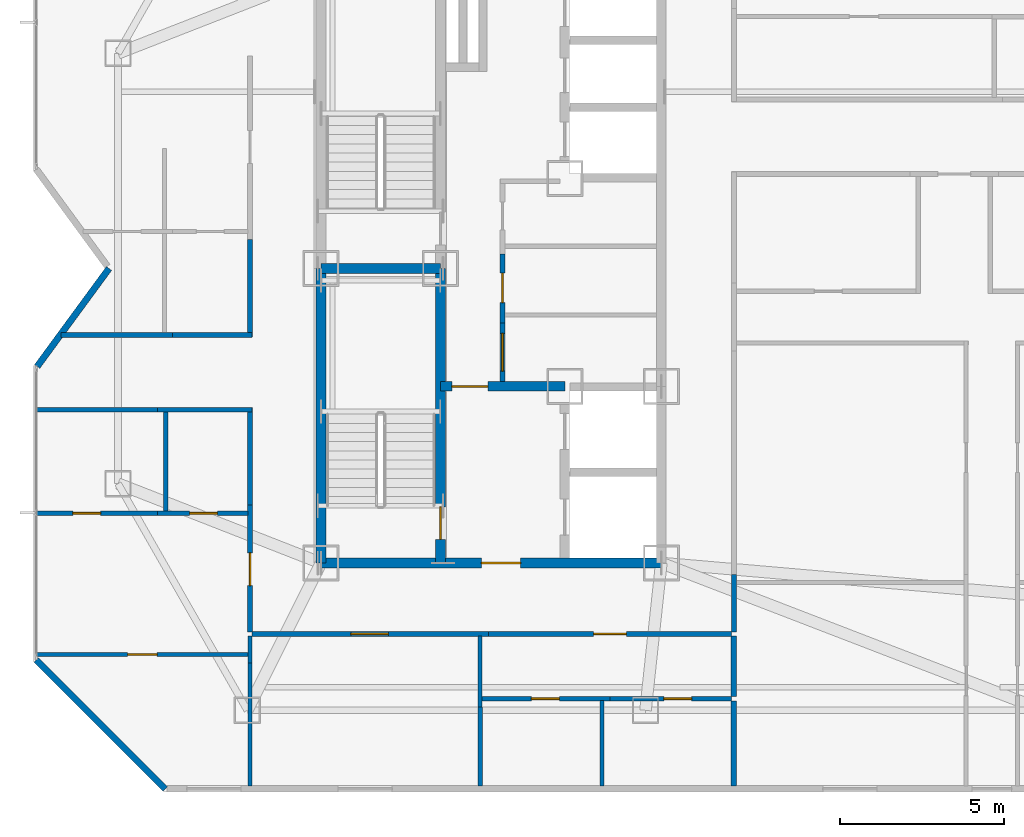
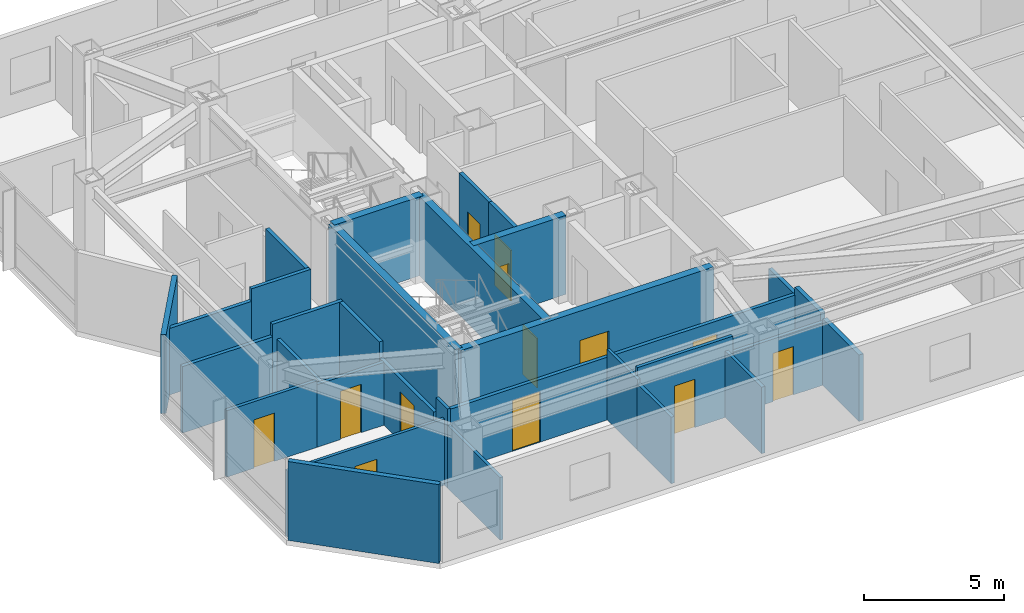
# One storey, part 10 of 15: 32 walls, 13 doors, 13 openings.
"""IFC4 building model written with IfcOpenShell, lengths in metres."""

from ifc_helpers import new_model, si_unit, direction, frame, frame_2d, origin, place, context, subcontext, project, spatial, rectangle, extrude, material, layer, layer_set, type_object, element, fill, save


model = new_model("IFC4")

# Units and contexts
model_context = context("Model", 3, precision=1e-05, world=origin(), true_north=direction((0.0, 1.0)))
body_context = subcontext(model_context, "Body", "Model", "MODEL_VIEW")
ifc_project = project(units=[si_unit("LENGTHUNIT", "METRE"), si_unit("AREAUNIT", "SQUARE_METRE"), si_unit("VOLUMEUNIT", "CUBIC_METRE"), si_unit("PLANEANGLEUNIT", "RADIAN"), si_unit("MASSUNIT", "GRAM", prefix="KILO")], contexts=[model_context])

# Site, building, storey
site_placement = place(None, origin())
site = spatial("IfcSite", under=ifc_project, at=site_placement, CompositionType="ELEMENT")
building_placement = place(site_placement, origin())
building = spatial("IfcBuilding", under=site, at=building_placement, Name="Khamvora Tower", CompositionType="ELEMENT")
storey_placement = place(building_placement, frame((0.0, 0.0, 220.85009765625)))
storey = spatial("IfcBuildingStorey", under=building, at=storey_placement, Name="L56", CompositionType="ELEMENT", Elevation=220.85009765625)

# Wall
ifc_material_1 = material(Name="Concrete C50/60", Category="concrete")
ifc_layer_1 = layer(ifc_material_1, 0.300048828125)
ifc_layer_set_1 = layer_set([ifc_layer_1], Name="Concrete C50/60")
wall_type_1 = type_object("IfcWallType", Name="WAL-CORE-300", PredefinedType="SHEAR", material=ifc_layer_set_1)
wall_1_placement = place(storey_placement, frame((29.0, 19.0, 0.0), z_axis=(0.0, 0.0, 1.0), x_axis=(0.0, 1.0, 0.0)))
element("IfcWall", 1, at=wall_1_placement, inside=storey, type_object=wall_type_1, Name="L56 central core west south wall", PredefinedType="SHEAR", context=body_context, shape_type="SweptSolid", body=[
    extrude(rectangle(XDim=9.0, YDim=0.300048828125, at=frame_2d((4.5, 0.0))), origin(), (0.0, 0.0, 1.0), 3.429931640625),
])

# Wall, opening, door
wall_2_placement = place(storey_placement, frame((29.0, 19.0, 0.0), z_axis=(0.0, 0.0, 1.0), x_axis=(1.0, 0.0, 0.0)))
wall_2 = element("IfcWall", 2, at=wall_2_placement, inside=storey, type_object=wall_type_1, Name="L56 central core south wall", PredefinedType="SHEAR", context=body_context, shape_type="SweptSolid", body=[
    extrude(rectangle(XDim=10.39990234375, YDim=0.300048828125, at=frame_2d((5.199951171875, 0.0))), origin(), (0.0, 0.0, 1.0), 3.429931640625),
])
opening_1_placement = place(wall_2_placement, frame((4.89990234375, 0.0, 0.0)))
opening_1 = element("IfcOpeningElement", 3, at=opening_1_placement, cuts=wall_2, Name="Opening D-CR1", PredefinedType="OPENING", context=body_context, shape_type="SweptSolid", body=[
    extrude(rectangle(XDim=1.199951171875, YDim=2.14990234375, at=frame_2d((0.60009765625, 1.074951171875))), frame((0.0, 0.159912109375, 0.0), z_axis=(0.0, -1.0, 0.0), x_axis=(1.0, 0.0, 0.0)), (0.0, 0.0, 1.0), 0.320068359375),
])
ifc_material_2 = material(Name="Powder-Coated Steel and Hardwood Leaf", Category="steel")
door_type_1 = type_object("IfcDoorType", Name="DOR-CORR-1200", OperationType="NOTDEFINED", PredefinedType="DOOR", material=ifc_material_2)
door_1_placement = place(opening_1_placement, origin())
door_1 = element("IfcDoor", 4, at=door_1_placement, inside=storey, type_object=door_type_1, Name="L56 south core lobby to corridor fire door", OperationType="SINGLE_SWING_RIGHT", OverallHeight=2.14990234375, OverallWidth=1.199951171875, PredefinedType="DOOR", context=body_context, shape_type="SweptSolid", body=[
    extrude(rectangle(XDim=1.199951171875, YDim=2.14990234375, at=frame_2d((0.60009765625, 1.074951171875))), frame((0.0, 0.02490234375, 0.0), z_axis=(0.0, -1.0, 0.0), x_axis=(1.0, 0.0, 0.0)), (0.0, 0.0, 1.0), 0.050048828125),
])
fill(opening_1, door_1)

wall_3_placement = place(storey_placement, frame((32.64990234375, 19.0, 0.0), z_axis=(0.0, 0.0, 1.0), x_axis=(0.0, 1.0, 0.0)))
wall_3 = element("IfcWall", 5, at=wall_3_placement, inside=storey, type_object=wall_type_1, Name="L56 central core stair south spine wall", PredefinedType="SHEAR", context=body_context, shape_type="SweptSolid", body=[
    extrude(rectangle(XDim=9.0, YDim=0.300048828125, at=frame_2d((4.5, 0.0))), origin(), (0.0, 0.0, 1.0), 3.429931640625),
])
opening_2_placement = place(wall_3_placement, frame((0.719970703125, 0.0, 0.0)))
opening_2 = element("IfcOpeningElement", 6, at=opening_2_placement, cuts=wall_3, Name="Opening D-ST1", PredefinedType="OPENING", context=body_context, shape_type="SweptSolid", body=[
    extrude(rectangle(XDim=1.0, YDim=2.14990234375, at=frame_2d((0.5, 1.074951171875))), frame((0.0, 0.159912109375, 0.0), z_axis=(0.0, -1.0, 0.0), x_axis=(1.0, 0.0, 0.0)), (0.0, 0.0, 1.0), 0.320068359375),
])
door_type_2 = type_object("IfcDoorType", Name="DOR-STAIR-1000", OperationType="NOTDEFINED", PredefinedType="DOOR", material=ifc_material_2)
door_2_placement = place(opening_2_placement, origin())
door_2 = element("IfcDoor", 7, at=door_2_placement, inside=storey, type_object=door_type_2, Name="L56 exit stair ST-01 fire door", OperationType="SINGLE_SWING_RIGHT", OverallHeight=2.14990234375, OverallWidth=1.0, PredefinedType="DOOR", context=body_context, shape_type="SweptSolid", body=[
    extrude(rectangle(XDim=1.0, YDim=2.14990234375, at=frame_2d((0.5, 1.074951171875))), frame((0.0, 0.02490234375, 0.0), z_axis=(0.0, -1.0, 0.0), x_axis=(1.0, 0.0, 0.0)), (0.0, 0.0, 1.0), 0.050048828125),
])
fill(opening_2, door_2)

# Wall
wall_4_placement = place(storey_placement, frame((29.0, 28.0, 0.0), z_axis=(0.0, 0.0, 1.0), x_axis=(1.0, 0.0, 0.0)))
element("IfcWall", 8, at=wall_4_placement, inside=storey, type_object=wall_type_1, Name="L56 central core stair cross wall", PredefinedType="SHEAR", context=body_context, shape_type="SweptSolid", body=[
    extrude(rectangle(XDim=3.64990234375, YDim=0.300048828125, at=frame_2d((1.824951171875, 0.0))), origin(), (0.0, 0.0, 1.0), 3.429931640625),
])

# Wall, opening, door
wall_5_placement = place(storey_placement, frame((32.64990234375, 24.39990234375, 0.0), z_axis=(0.0, 0.0, 1.0), x_axis=(1.0, 0.0, 0.0)))
wall_5 = element("IfcWall", 9, at=wall_5_placement, inside=storey, type_object=wall_type_1, Name="L56 central core firefighting lobby north wall", PredefinedType="SHEAR", context=body_context, shape_type="SweptSolid", body=[
    extrude(rectangle(XDim=3.800048828125, YDim=0.300048828125, at=frame_2d((1.89990234375, 0.0))), origin(), (0.0, 0.0, 1.0), 3.429931640625),
])
opening_3_placement = place(wall_5_placement, frame((0.35009765625, 0.0, 0.0)))
opening_3 = element("IfcOpeningElement", 10, at=opening_3_placement, cuts=wall_5, Name="Opening D-FF1", PredefinedType="OPENING", context=body_context, shape_type="SweptSolid", body=[
    extrude(rectangle(XDim=1.10009765625, YDim=2.14990234375, at=frame_2d((0.550048828125, 1.074951171875))), frame((0.0, 0.159912109375, 0.0), z_axis=(0.0, -1.0, 0.0), x_axis=(1.0, 0.0, 0.0)), (0.0, 0.0, 1.0), 0.320068359375),
])
door_type_3 = type_object("IfcDoorType", Name="DOR-FFLOB-1100", OperationType="NOTDEFINED", PredefinedType="DOOR", material=ifc_material_2)
door_3_placement = place(opening_3_placement, origin())
door_3 = element("IfcDoor", 11, at=door_3_placement, inside=storey, type_object=door_type_3, Name="L56 firefighting lobby smoke-seal fire door", OperationType="SINGLE_SWING_LEFT", OverallHeight=2.14990234375, OverallWidth=1.10009765625, PredefinedType="DOOR", context=body_context, shape_type="SweptSolid", body=[
    extrude(rectangle(XDim=1.10009765625, YDim=2.14990234375, at=frame_2d((0.550048828125, 1.074951171875))), frame((0.0, 0.02490234375, 0.0), z_axis=(0.0, -1.0, 0.0), x_axis=(1.0, 0.0, 0.0)), (0.0, 0.0, 1.0), 0.050048828125),
])
fill(opening_3, door_3)

ifc_material_3 = material(Name="Fire-Rated Drywall and Steel Stud", Category="steel")
ifc_layer_2 = layer(ifc_material_3, 0.14990234375)
ifc_layer_set_2 = layer_set([ifc_layer_2], Name="Fire-Rated Drywall and Steel Stud")
wall_type_2 = type_object("IfcWallType", Name="WAL-CORR-150", PredefinedType="STANDARD", material=ifc_layer_set_2)
wall_6_placement = place(storey_placement, frame((34.544921875, 28.43603515625, 0.0), z_axis=(0.0, 0.0, 1.0), x_axis=(0.0, -1.0, 0.0)))
wall_6 = element("IfcWall", 12, at=wall_6_placement, inside=storey, type_object=wall_type_2, Name="L56 interior partition wall 003", PredefinedType="STANDARD", context=body_context, shape_type="SweptSolid", body=[
    extrude(rectangle(XDim=2.10009765625, YDim=0.14990234375, at=frame_2d((1.050048828125, 0.0))), origin(), (0.0, 0.0, 1.0), 3.429931640625),
])
opening_4_placement = place(wall_6_placement, frame((0.5791015625, 0.0, 0.0)))
opening_4 = element("IfcOpeningElement", 13, at=opening_4_placement, cuts=wall_6, Name="Opening D-RM1", PredefinedType="OPENING", context=body_context, shape_type="SweptSolid", body=[
    extrude(rectangle(XDim=0.89990234375, YDim=2.10009765625, at=frame_2d((0.449951171875, 1.050048828125))), frame((0.0, 0.0849609375, 0.0), z_axis=(0.0, -1.0, 0.0), x_axis=(1.0, 0.0, 0.0)), (0.0, 0.0, 1.0), 0.169921875),
])
door_type_4 = type_object("IfcDoorType", Name="DOR-ROOM-900", OperationType="NOTDEFINED", PredefinedType="DOOR", material=ifc_material_2)
door_4_placement = place(opening_4_placement, origin())
door_4 = element("IfcDoor", 14, at=door_4_placement, inside=storey, type_object=door_type_4, Name="L56 interior door PHL-CS2", OperationType="SINGLE_SWING_LEFT", OverallHeight=2.10009765625, OverallWidth=0.89990234375, PredefinedType="DOOR", context=body_context, shape_type="SweptSolid", body=[
    extrude(rectangle(XDim=0.89990234375, YDim=2.10009765625, at=frame_2d((0.449951171875, 1.050048828125))), frame((0.0, 0.02490234375, 0.0), z_axis=(0.0, -1.0, 0.0), x_axis=(1.0, 0.0, 0.0)), (0.0, 0.0, 1.0), 0.050048828125),
])
fill(opening_4, door_4)

wall_7_placement = place(storey_placement, frame((34.544921875, 26.3359375, 0.0), z_axis=(0.0, 0.0, 1.0), x_axis=(0.0, -1.0, 0.0)))
wall_7 = element("IfcWall", 15, at=wall_7_placement, inside=storey, type_object=wall_type_2, Name="L56 interior partition wall 004", PredefinedType="STANDARD", context=body_context, shape_type="SweptSolid", body=[
    extrude(rectangle(XDim=1.7919921875, YDim=0.14990234375, at=frame_2d((0.89599609375, 0.0))), origin(), (0.0, 0.0, 1.0), 3.429931640625),
])
opening_5_placement = place(wall_7_placement, frame((0.321044921875, 0.0, 0.0)))
opening_5 = element("IfcOpeningElement", 16, at=opening_5_placement, cuts=wall_7, Name="Opening D-SC1", PredefinedType="OPENING", context=body_context, shape_type="SweptSolid", body=[
    extrude(rectangle(XDim=1.14990234375, YDim=2.199951171875, at=frame_2d((0.574951171875, 1.10009765625))), frame((0.0, 0.0849609375, 0.0), z_axis=(0.0, -1.0, 0.0), x_axis=(1.0, 0.0, 0.0)), (0.0, 0.0, 1.0), 0.169921875),
])
door_type_5 = type_object("IfcDoorType", Name="DOR-SCHL-1150", OperationType="NOTDEFINED", PredefinedType="DOOR", material=ifc_material_2)
door_5_placement = place(opening_5_placement, origin())
door_5 = element("IfcDoor", 17, at=door_5_placement, inside=storey, type_object=door_type_5, Name="L56 interior door PHL-CS3", OperationType="SINGLE_SWING_RIGHT", OverallHeight=2.199951171875, OverallWidth=1.14990234375, PredefinedType="DOOR", context=body_context, shape_type="SweptSolid", body=[
    extrude(rectangle(XDim=1.14990234375, YDim=2.199951171875, at=frame_2d((0.574951171875, 1.10009765625))), frame((0.0, 0.02490234375, 0.0), z_axis=(0.0, -1.0, 0.0), x_axis=(1.0, 0.0, 0.0)), (0.0, 0.0, 1.0), 0.050048828125),
])
fill(opening_5, door_5)

wall_8_placement = place(storey_placement, frame((34.114013671875, 16.8349609375, 0.0), z_axis=(0.0, 0.0, 1.0), x_axis=(-1.0, 0.0, 0.0)))
wall_8 = element("IfcWall", 18, at=wall_8_placement, inside=storey, type_object=wall_type_2, Name="L56 interior partition wall 007", PredefinedType="STANDARD", context=body_context, shape_type="SweptSolid", body=[
    extrude(rectangle(XDim=7.214111328125, YDim=0.14990234375, at=frame_2d((3.60693359375, 0.0))), origin(), (0.0, 0.0, 1.0), 2.724853515625),
])
opening_6_placement = place(wall_8_placement, frame((3.052978515625, 0.0, 0.0)))
opening_6 = element("IfcOpeningElement", 19, at=opening_6_placement, cuts=wall_8, Name="Opening D-SC1", PredefinedType="OPENING", context=body_context, shape_type="SweptSolid", body=[
    extrude(rectangle(XDim=1.14990234375, YDim=2.199951171875, at=frame_2d((0.574951171875, 1.10009765625))), frame((0.0, 0.0849609375, 0.0), z_axis=(0.0, -1.0, 0.0), x_axis=(1.0, 0.0, 0.0)), (0.0, 0.0, 1.0), 0.169921875),
])
door_6_placement = place(opening_6_placement, origin())
door_6 = element("IfcDoor", 20, at=door_6_placement, inside=storey, type_object=door_type_5, Name="L56 interior door COR-RLIB", OperationType="SINGLE_SWING_LEFT", OverallHeight=2.199951171875, OverallWidth=1.14990234375, PredefinedType="DOOR", context=body_context, shape_type="SweptSolid", body=[
    extrude(rectangle(XDim=1.14990234375, YDim=2.199951171875, at=frame_2d((0.574951171875, 1.10009765625))), frame((0.0, 0.02490234375, 0.0), z_axis=(0.0, -1.0, 0.0), x_axis=(1.0, 0.0, 0.0)), (0.0, 0.0, 1.0), 0.050048828125),
])
fill(opening_6, door_6)

wall_9_placement = place(storey_placement, frame((26.8349609375, 16.89990234375, 0.0), z_axis=(0.0, 0.0, 1.0), x_axis=(0.0, 1.0, 0.0)))
wall_9 = element("IfcWall", 21, at=wall_9_placement, inside=storey, type_object=wall_type_2, Name="L56 interior partition wall 008", PredefinedType="STANDARD", context=body_context, shape_type="SweptSolid", body=[
    extrude(rectangle(XDim=3.869140625, YDim=0.14990234375, at=frame_2d((1.9345703125, 0.0))), origin(), (0.0, 0.0, 1.0), 2.724853515625),
])
opening_7_placement = place(wall_9_placement, frame((1.4130859375, 0.0, 0.0)))
opening_7 = element("IfcOpeningElement", 22, at=opening_7_placement, cuts=wall_9, Name="Opening D-U1", PredefinedType="OPENING", context=body_context, shape_type="SweptSolid", body=[
    extrude(rectangle(XDim=1.0, YDim=2.14990234375, at=frame_2d((0.5, 1.074951171875))), frame((0.0, 0.0849609375, 0.0), z_axis=(0.0, -1.0, 0.0), x_axis=(1.0, 0.0, 0.0)), (0.0, 0.0, 1.0), 0.169921875),
])
door_type_6 = type_object("IfcDoorType", Name="DOR-UNIT-1000", OperationType="NOTDEFINED", PredefinedType="DOOR", material=ifc_material_2)
door_7_placement = place(opening_7_placement, origin())
door_7 = element("IfcDoor", 23, at=door_7_placement, inside=storey, type_object=door_type_6, Name="L56 interior door COR-56WAH", OperationType="SINGLE_SWING_RIGHT", OverallHeight=2.14990234375, OverallWidth=1.0, PredefinedType="DOOR", context=body_context, shape_type="SweptSolid", body=[
    extrude(rectangle(XDim=1.0, YDim=2.14990234375, at=frame_2d((0.5, 1.074951171875))), frame((0.0, 0.02490234375, 0.0), z_axis=(0.0, -1.0, 0.0), x_axis=(1.0, 0.0, 0.0)), (0.0, 0.0, 1.0), 0.050048828125),
])
fill(opening_7, door_7)

# Walls
wall_10_placement = place(storey_placement, frame((26.8349609375, 20.76904296875, 0.0), z_axis=(0.0, 0.0, 1.0), x_axis=(0.0, 1.0, 0.0)))
element("IfcWall", 24, at=wall_10_placement, inside=storey, type_object=wall_type_2, Name="L56 interior partition wall 009", PredefinedType="STANDARD", context=body_context, shape_type="SweptSolid", body=[
    extrude(rectangle(XDim=2.98095703125, YDim=0.14990234375, at=frame_2d((1.490478515625, 0.0))), origin(), (0.0, 0.0, 1.0), 3.429931640625),
])
wall_11_placement = place(storey_placement, frame((26.89794921875, 23.68505859375, 0.0), z_axis=(0.0, 0.0, 1.0), x_axis=(-1.0, 0.0, 0.0)))
element("IfcWall", 25, at=wall_11_placement, inside=storey, type_object=wall_type_2, Name="L56 interior partition wall 010", PredefinedType="STANDARD", context=body_context, shape_type="SweptSolid", body=[
    extrude(rectangle(XDim=2.886962890625, YDim=0.14990234375, at=frame_2d((1.443359375, 0.0))), origin(), (0.0, 0.0, 1.0), 3.429931640625),
])
wall_12_placement = place(storey_placement, frame((24.010986328125, 23.68505859375, 0.0), z_axis=(0.0, 0.0, 1.0), x_axis=(-1.0, 0.0, 0.0)))
element("IfcWall", 26, at=wall_12_placement, inside=storey, type_object=wall_type_2, Name="L56 interior partition wall 011", PredefinedType="STANDARD", context=body_context, shape_type="SweptSolid", body=[
    extrude(rectangle(XDim=3.700927734375, YDim=0.14990234375, at=frame_2d((1.8505859375, 0.0))), origin(), (0.0, 0.0, 1.0), 2.886962890625),
])
wall_13_placement = place(storey_placement, frame((21.05908203125, 25.965087890625, 0.0), z_axis=(0.0, 0.0, 1.0), x_axis=(1.0, 0.0, 0.0)))
element("IfcWall", 27, at=wall_13_placement, inside=storey, type_object=wall_type_2, Name="L56 interior partition wall 013", PredefinedType="STANDARD", context=body_context, shape_type="SweptSolid", body=[
    extrude(rectangle(XDim=3.409912109375, YDim=0.14990234375, at=frame_2d((1.705078125, 0.0))), origin(), (0.0, 0.0, 1.0), 2.886962890625),
])
wall_14_placement = place(storey_placement, frame((24.468994140625, 25.965087890625, 0.0), z_axis=(0.0, 0.0, 1.0), x_axis=(1.0, 0.0, 0.0)))
element("IfcWall", 28, at=wall_14_placement, inside=storey, type_object=wall_type_2, Name="L56 interior partition wall 014", PredefinedType="STANDARD", context=body_context, shape_type="SweptSolid", body=[
    extrude(rectangle(XDim=2.430908203125, YDim=0.14990234375, at=frame_2d((1.21533203125, 0.0))), origin(), (0.0, 0.0, 1.0), 3.429931640625),
])
wall_15_placement = place(storey_placement, frame((26.8349609375, 25.89990234375, 0.0), z_axis=(0.0, 0.0, 1.0), x_axis=(0.0, 1.0, 0.0)))
element("IfcWall", 29, at=wall_15_placement, inside=storey, type_object=wall_type_2, Name="L56 interior partition wall 015", PredefinedType="STANDARD", context=body_context, shape_type="SweptSolid", body=[
    extrude(rectangle(XDim=2.981201171875, YDim=0.14990234375, at=frame_2d((1.49072265625, 0.0))), origin(), (0.0, 0.0, 1.0), 3.429931640625),
])

# Wall, opening, door
wall_16_placement = place(storey_placement, frame((41.550048828125, 16.8349609375, 0.0), z_axis=(0.0, 0.0, 1.0), x_axis=(-1.0, 0.0, 0.0)))
wall_16 = element("IfcWall", 30, at=wall_16_placement, inside=storey, type_object=wall_type_2, Name="L56 interior partition wall 016", PredefinedType="STANDARD", context=body_context, shape_type="SweptSolid", body=[
    extrude(rectangle(XDim=7.43603515625, YDim=0.14990234375, at=frame_2d((3.718017578125, 0.0))), origin(), (0.0, 0.0, 1.0), 2.724853515625),
])
opening_8_placement = place(wall_16_placement, frame((3.218017578125, 0.0, 0.0)))
opening_8 = element("IfcOpeningElement", 31, at=opening_8_placement, cuts=wall_16, Name="Opening D-U1", PredefinedType="OPENING", context=body_context, shape_type="SweptSolid", body=[
    extrude(rectangle(XDim=1.0, YDim=2.14990234375, at=frame_2d((0.5, 1.074951171875))), frame((0.0, 0.0849609375, 0.0), z_axis=(0.0, -1.0, 0.0), x_axis=(1.0, 0.0, 0.0)), (0.0, 0.0, 1.0), 0.169921875),
])
door_8_placement = place(opening_8_placement, origin())
door_8 = element("IfcDoor", 32, at=door_8_placement, inside=storey, type_object=door_type_6, Name="L56 interior door COR-56SAS", OperationType="SINGLE_SWING_RIGHT", OverallHeight=2.14990234375, OverallWidth=1.0, PredefinedType="DOOR", context=body_context, shape_type="SweptSolid", body=[
    extrude(rectangle(XDim=1.0, YDim=2.14990234375, at=frame_2d((0.5, 1.074951171875))), frame((0.0, 0.02490234375, 0.0), z_axis=(0.0, -1.0, 0.0), x_axis=(1.0, 0.0, 0.0)), (0.0, 0.0, 1.0), 0.050048828125),
])
fill(opening_8, door_8)

# Walls
wall_17_placement = place(storey_placement, frame((41.614990234375, 18.653076171875, 0.0), z_axis=(0.0, 0.0, 1.0), x_axis=(0.0, -1.0, 0.0)))
element("IfcWall", 33, at=wall_17_placement, inside=storey, type_object=wall_type_2, Name="L56 interior partition wall 025", PredefinedType="STANDARD", context=body_context, shape_type="SweptSolid", body=[
    extrude(rectangle(XDim=1.753173828125, YDim=0.14990234375, at=frame_2d((0.87646484375, 0.0))), origin(), (0.0, 0.0, 1.0), 2.724853515625),
])
ifc_material_4 = material(Name="Acoustic Double-Stud Fire Wall", Category="gypsum")
ifc_layer_3 = layer(ifc_material_4, 0.179931640625)
ifc_layer_set_3 = layer_set([ifc_layer_3], Name="Acoustic Double-Stud Fire Wall")
wall_type_3 = type_object("IfcWallType", Name="WAL-CORR-180", PredefinedType="STANDARD", material=ifc_layer_set_3)
wall_18_placement = place(storey_placement, frame((41.614990234375, 16.77001953125, 0.0), z_axis=(0.0, 0.0, 1.0), x_axis=(0.0, -1.0, 0.0)))
element("IfcWall", 34, at=wall_18_placement, inside=storey, type_object=wall_type_3, Name="L56 interior partition wall 054", PredefinedType="STANDARD", context=body_context, shape_type="SweptSolid", body=[
    extrude(rectangle(XDim=1.85009765625, YDim=0.179931640625, at=frame_2d((0.925048828125, 0.0))), origin(), (0.0, 0.0, 1.0), 3.06494140625),
])
wall_19_placement = place(storey_placement, frame((41.614990234375, 14.7900390625, 0.0), z_axis=(0.0, 0.0, 1.0), x_axis=(0.0, -1.0, 0.0)))
element("IfcWall", 35, at=wall_19_placement, inside=storey, type_object=wall_type_3, Name="L56 interior partition wall 056", PredefinedType="STANDARD", context=body_context, shape_type="SweptSolid", body=[
    extrude(rectangle(XDim=2.59814453125, YDim=0.179931640625, at=frame_2d((1.299072265625, 0.0))), origin(), (0.0, 0.0, 1.0), 2.886962890625),
])
ifc_material_5 = material(Name="Precast concrete C40/50", Category="concrete")
ifc_layer_4 = layer(ifc_material_5, 0.199951171875)
ifc_layer_set_4 = layer_set([ifc_layer_4], Name="Precast concrete C40/50")
wall_type_4 = type_object("IfcWallType", Name="WAL-EXT-200", PredefinedType="STANDARD", material=ifc_layer_set_4)
wall_20_placement = place(storey_placement, frame((24.240966796875, 12.10009765625, 0.0), z_axis=(0.0, 0.0, 1.0), x_axis=(-0.707106781187, 0.707106781187, 0.0)))
element("IfcWall", 36, at=wall_20_placement, inside=storey, type_object=wall_type_4, Name="L56 exterior facade wall 01.1", PredefinedType="STANDARD", context=body_context, shape_type="SweptSolid", body=[
    extrude(rectangle(XDim=5.5732421875, YDim=0.199951171875, at=frame_2d((2.78662109375, 0.0))), origin(), (0.0, 0.0, 1.0), 3.429931640625),
])
wall_21_placement = place(storey_placement, frame((20.3291015625, 25.007080078125, 0.0), z_axis=(0.0, 0.0, 1.0), x_axis=(0.591366515379, 0.806402904564, 0.0)))
element("IfcWall", 37, at=wall_21_placement, inside=storey, type_object=wall_type_4, Name="L56 exterior facade wall 03.1", PredefinedType="STANDARD", context=body_context, shape_type="SweptSolid", body=[
    extrude(rectangle(XDim=3.71142578125, YDim=0.199951171875, at=frame_2d((1.855712890625, 0.0))), origin(), (0.0, 0.0, 1.0), 3.429931640625),
])
ifc_material_6 = material(Name="Gypsum Plasterboard Partition", Category="gypsum")
ifc_layer_5 = layer(ifc_material_6, 0.1201171875)
ifc_layer_set_5 = layer_set([ifc_layer_5], Name="Gypsum Plasterboard Partition")
wall_type_5 = type_object("IfcWallType", Name="WAL-PART-120", PredefinedType="PARTITIONING", material=ifc_layer_set_5)
wall_22_placement = place(storey_placement, frame((26.8349609375, 15.947021484375, 0.0), z_axis=(0.0, 0.0, 1.0), x_axis=(0.0, 1.0, 0.0)))
element("IfcWall", 38, at=wall_22_placement, inside=storey, type_object=wall_type_5, Name="L56 interior partition wall 038", PredefinedType="PARTITIONING", context=body_context, shape_type="SweptSolid", body=[
    extrude(rectangle(XDim=0.822998046875, YDim=0.1201171875, at=frame_2d((0.41162109375, 0.0))), origin(), (0.0, 0.0, 1.0), 3.429931640625),
])
wall_23_placement = place(storey_placement, frame((26.8349609375, 12.19189453125, 0.0), z_axis=(0.0, 0.0, 1.0), x_axis=(0.0, 1.0, 0.0)))
element("IfcWall", 39, at=wall_23_placement, inside=storey, type_object=wall_type_5, Name="L56 interior partition wall 039", PredefinedType="PARTITIONING", context=body_context, shape_type="SweptSolid", body=[
    extrude(rectangle(XDim=3.755126953125, YDim=0.1201171875, at=frame_2d((1.87744140625, 0.0))), origin(), (0.0, 0.0, 1.0), 2.724853515625),
])
wall_24_placement = place(storey_placement, frame((33.864990234375, 16.77001953125, 0.0), z_axis=(0.0, 0.0, 1.0), x_axis=(0.0, -1.0, 0.0)))
element("IfcWall", 40, at=wall_24_placement, inside=storey, type_object=wall_type_5, Name="L56 interior partition wall 040", PredefinedType="PARTITIONING", context=body_context, shape_type="SweptSolid", body=[
    extrude(rectangle(XDim=2.1640625, YDim=0.1201171875, at=frame_2d((1.08203125, 0.0))), origin(), (0.0, 0.0, 1.0), 3.06494140625),
])

# Wall, opening, door
wall_25_placement = place(storey_placement, frame((26.782958984375, 16.2099609375, 0.0), z_axis=(0.0, 0.0, 1.0), x_axis=(-1.0, 0.0, 0.0)))
wall_25 = element("IfcWall", 41, at=wall_25_placement, inside=storey, type_object=wall_type_5, Name="L56 interior partition wall 044", PredefinedType="PARTITIONING", context=body_context, shape_type="SweptSolid", body=[
    extrude(rectangle(XDim=6.472900390625, YDim=0.1201171875, at=frame_2d((3.236328125, 0.0))), origin(), (0.0, 0.0, 1.0), 2.886962890625),
])
opening_9_placement = place(wall_25_placement, frame((2.785888671875, 0.0, 0.0)))
opening_9 = element("IfcOpeningElement", 42, at=opening_9_placement, cuts=wall_25, Name="Opening D-RM1", PredefinedType="OPENING", context=body_context, shape_type="SweptSolid", body=[
    extrude(rectangle(XDim=0.89990234375, YDim=2.10009765625, at=frame_2d((0.449951171875, 1.050048828125))), frame((0.0, 0.070068359375, 0.0), z_axis=(0.0, -1.0, 0.0), x_axis=(1.0, 0.0, 0.0)), (0.0, 0.0, 1.0), 0.14013671875),
])
door_9_placement = place(opening_9_placement, origin())
door_9 = element("IfcDoor", 43, at=door_9_placement, inside=storey, type_object=door_type_4, Name="L56 interior door 56WAH-56WAR1", OperationType="SINGLE_SWING_RIGHT", OverallHeight=2.10009765625, OverallWidth=0.89990234375, PredefinedType="DOOR", context=body_context, shape_type="SweptSolid", body=[
    extrude(rectangle(XDim=0.89990234375, YDim=2.10009765625, at=frame_2d((0.449951171875, 1.050048828125))), frame((0.0, 0.02490234375, 0.0), z_axis=(0.0, -1.0, 0.0), x_axis=(1.0, 0.0, 0.0)), (0.0, 0.0, 1.0), 0.050048828125),
])
fill(opening_9, door_9)

# Wall
ifc_material_7 = material(Name="Moisture-Resistant Plasterboard Partition", Category="gypsum")
ifc_layer_6 = layer(ifc_material_7, 0.135009765625)
ifc_layer_set_6 = layer_set([ifc_layer_6], Name="Moisture-Resistant Plasterboard Partition")
wall_type_6 = type_object("IfcWallType", Name="WAL-WET-135", PredefinedType="PARTITIONING", material=ifc_layer_set_6)
wall_26_placement = place(storey_placement, frame((33.864990234375, 14.60595703125, 0.0), z_axis=(0.0, 0.0, 1.0), x_axis=(0.0, -1.0, 0.0)))
element("IfcWall", 44, at=wall_26_placement, inside=storey, type_object=wall_type_6, Name="L56 interior partition wall 041", PredefinedType="PARTITIONING", context=body_context, shape_type="SweptSolid", body=[
    extrude(rectangle(XDim=2.4140625, YDim=0.135009765625, at=frame_2d((1.20703125, 0.0))), origin(), (0.0, 0.0, 1.0), 2.886962890625),
])

# Wall, opening, door
wall_27_placement = place(storey_placement, frame((24.010986328125, 20.52001953125, 0.0), z_axis=(0.0, 0.0, 1.0), x_axis=(1.0, 0.0, 0.0)))
wall_27 = element("IfcWall", 45, at=wall_27_placement, inside=storey, type_object=wall_type_6, Name="L56 interior partition wall 042", PredefinedType="PARTITIONING", context=body_context, shape_type="SweptSolid", body=[
    extrude(rectangle(XDim=2.759033203125, YDim=0.135009765625, at=frame_2d((1.37939453125, 0.0))), origin(), (0.0, 0.0, 1.0), 2.724853515625),
])
opening_10_placement = place(wall_27_placement, frame((0.97509765625, 0.0, 0.0)))
opening_10 = element("IfcOpeningElement", 46, at=opening_10_placement, cuts=wall_27, Name="Opening D-WC1", PredefinedType="OPENING", context=body_context, shape_type="SweptSolid", body=[
    extrude(rectangle(XDim=0.85009765625, YDim=2.10009765625, at=frame_2d((0.425048828125, 1.050048828125))), frame((0.0, 0.077392578125, 0.0), z_axis=(0.0, -1.0, 0.0), x_axis=(1.0, 0.0, 0.0)), (0.0, 0.0, 1.0), 0.155029296875),
])
door_type_7 = type_object("IfcDoorType", Name="DOR-WET-850", OperationType="NOTDEFINED", PredefinedType="DOOR", material=ifc_material_2)
door_10_placement = place(opening_10_placement, origin())
door_10 = element("IfcDoor", 47, at=door_10_placement, inside=storey, type_object=door_type_7, Name="L56 interior door 56WAH-56WAB", OperationType="SINGLE_SWING_LEFT", OverallHeight=2.10009765625, OverallWidth=0.85009765625, PredefinedType="DOOR", context=body_context, shape_type="SweptSolid", body=[
    extrude(rectangle(XDim=0.85009765625, YDim=2.10009765625, at=frame_2d((0.425048828125, 1.050048828125))), frame((0.0, 0.02490234375, 0.0), z_axis=(0.0, -1.0, 0.0), x_axis=(1.0, 0.0, 0.0)), (0.0, 0.0, 1.0), 0.050048828125),
])
fill(opening_10, door_10)

wall_28_placement = place(storey_placement, frame((20.31005859375, 20.52001953125, 0.0), z_axis=(0.0, 0.0, 1.0), x_axis=(1.0, 0.0, 0.0)))
wall_28 = element("IfcWall", 48, at=wall_28_placement, inside=storey, type_object=wall_type_6, Name="L56 interior partition wall 043", PredefinedType="PARTITIONING", context=body_context, shape_type="SweptSolid", body=[
    extrude(rectangle(XDim=3.700927734375, YDim=0.135009765625, at=frame_2d((1.8505859375, 0.0))), origin(), (0.0, 0.0, 1.0), 2.886962890625),
])
opening_11_placement = place(wall_28_placement, frame((1.111083984375, 0.0, 0.0)))
opening_11 = element("IfcOpeningElement", 49, at=opening_11_placement, cuts=wall_28, Name="Opening D-RM2", PredefinedType="OPENING", context=body_context, shape_type="SweptSolid", body=[
    extrude(rectangle(XDim=0.85009765625, YDim=2.10009765625, at=frame_2d((0.425048828125, 1.050048828125))), frame((0.0, 0.077392578125, 0.0), z_axis=(0.0, -1.0, 0.0), x_axis=(1.0, 0.0, 0.0)), (0.0, 0.0, 1.0), 0.155029296875),
])
door_type_8 = type_object("IfcDoorType", Name="DOR-ROOM-850", OperationType="NOTDEFINED", PredefinedType="DOOR", material=ifc_material_2)
door_11_placement = place(opening_11_placement, origin())
door_11 = element("IfcDoor", 50, at=door_11_placement, inside=storey, type_object=door_type_8, Name="L56 interior door 56WAH-56WAK", OperationType="SINGLE_SWING_LEFT", OverallHeight=2.10009765625, OverallWidth=0.85009765625, PredefinedType="DOOR", context=body_context, shape_type="SweptSolid", body=[
    extrude(rectangle(XDim=0.85009765625, YDim=2.10009765625, at=frame_2d((0.425048828125, 1.050048828125))), frame((0.0, 0.02490234375, 0.0), z_axis=(0.0, -1.0, 0.0), x_axis=(1.0, 0.0, 0.0)), (0.0, 0.0, 1.0), 0.050048828125),
])
fill(opening_11, door_11)

# Wall
wall_29_placement = place(storey_placement, frame((24.260009765625, 20.5810546875, 0.0), z_axis=(0.0, 0.0, 1.0), x_axis=(0.0, 1.0, 0.0)))
element("IfcWall", 51, at=wall_29_placement, inside=storey, type_object=wall_type_6, Name="L56 interior partition wall 045", PredefinedType="PARTITIONING", context=body_context, shape_type="SweptSolid", body=[
    extrude(rectangle(XDim=3.036865234375, YDim=0.135009765625, at=frame_2d((1.5185546875, 0.0))), origin(), (0.0, 0.0, 1.0), 2.724853515625),
])

# Wall, opening, door
wall_30_placement = place(storey_placement, frame((37.8369140625, 14.85498046875, 0.0), z_axis=(0.0, 0.0, 1.0), x_axis=(-1.0, 0.0, 0.0)))
wall_30 = element("IfcWall", 52, at=wall_30_placement, inside=storey, type_object=wall_type_6, Name="L56 interior partition wall 052", PredefinedType="PARTITIONING", context=body_context, shape_type="SweptSolid", body=[
    extrude(rectangle(XDim=3.91796875, YDim=0.135009765625, at=frame_2d((1.958984375, 0.0))), origin(), (0.0, 0.0, 1.0), 3.429931640625),
])
opening_12_placement = place(wall_30_placement, frame((1.554931640625, 0.0, 0.0)))
opening_12 = element("IfcOpeningElement", 53, at=opening_12_placement, cuts=wall_30, Name="Opening D-WC1", PredefinedType="OPENING", context=body_context, shape_type="SweptSolid", body=[
    extrude(rectangle(XDim=0.85009765625, YDim=2.10009765625, at=frame_2d((0.425048828125, 1.050048828125))), frame((0.0, 0.077392578125, 0.0), z_axis=(0.0, -1.0, 0.0), x_axis=(1.0, 0.0, 0.0)), (0.0, 0.0, 1.0), 0.155029296875),
])
door_12_placement = place(opening_12_placement, origin())
door_12 = element("IfcDoor", 54, at=door_12_placement, inside=storey, type_object=door_type_7, Name="L56 interior door 56SAS-56SAB", OperationType="SINGLE_SWING_RIGHT", OverallHeight=2.10009765625, OverallWidth=0.85009765625, PredefinedType="DOOR", context=body_context, shape_type="SweptSolid", body=[
    extrude(rectangle(XDim=0.85009765625, YDim=2.10009765625, at=frame_2d((0.425048828125, 1.050048828125))), frame((0.0, 0.02490234375, 0.0), z_axis=(0.0, -1.0, 0.0), x_axis=(1.0, 0.0, 0.0)), (0.0, 0.0, 1.0), 0.050048828125),
])
fill(opening_12, door_12)

wall_31_placement = place(storey_placement, frame((41.550048828125, 14.85498046875, 0.0), z_axis=(0.0, 0.0, 1.0), x_axis=(-1.0, 0.0, 0.0)))
wall_31 = element("IfcWall", 55, at=wall_31_placement, inside=storey, type_object=wall_type_6, Name="L56 interior partition wall 053", PredefinedType="PARTITIONING", context=body_context, shape_type="SweptSolid", body=[
    extrude(rectangle(XDim=3.713134765625, YDim=0.135009765625, at=frame_2d((1.8564453125, 0.0))), origin(), (0.0, 0.0, 1.0), 2.724853515625),
])
opening_13_placement = place(wall_31_placement, frame((1.220947265625, 0.0, 0.0)))
opening_13 = element("IfcOpeningElement", 56, at=opening_13_placement, cuts=wall_31, Name="Opening D-RM2", PredefinedType="OPENING", context=body_context, shape_type="SweptSolid", body=[
    extrude(rectangle(XDim=0.85009765625, YDim=2.10009765625, at=frame_2d((0.425048828125, 1.050048828125))), frame((0.0, 0.077392578125, 0.0), z_axis=(0.0, -1.0, 0.0), x_axis=(1.0, 0.0, 0.0)), (0.0, 0.0, 1.0), 0.155029296875),
])
door_13_placement = place(opening_13_placement, origin())
door_13 = element("IfcDoor", 57, at=door_13_placement, inside=storey, type_object=door_type_8, Name="L56 interior door 56SAS-56SAK", OperationType="SINGLE_SWING_LEFT", OverallHeight=2.10009765625, OverallWidth=0.85009765625, PredefinedType="DOOR", context=body_context, shape_type="SweptSolid", body=[
    extrude(rectangle(XDim=0.85009765625, YDim=2.10009765625, at=frame_2d((0.425048828125, 1.050048828125))), frame((0.0, 0.02490234375, 0.0), z_axis=(0.0, -1.0, 0.0), x_axis=(1.0, 0.0, 0.0)), (0.0, 0.0, 1.0), 0.050048828125),
])
fill(opening_13, door_13)

# Wall
wall_32_placement = place(storey_placement, frame((37.587890625, 14.79296875, 0.0), z_axis=(0.0, 0.0, 1.0), x_axis=(0.0, -1.0, 0.0)))
element("IfcWall", 58, at=wall_32_placement, inside=storey, type_object=wall_type_6, Name="L56 interior partition wall 055", PredefinedType="PARTITIONING", context=body_context, shape_type="SweptSolid", body=[
    extrude(rectangle(XDim=2.60107421875, YDim=0.135009765625, at=frame_2d((1.300537109375, 0.0))), origin(), (0.0, 0.0, 1.0), 2.886962890625),
])

save(model, "model.ifc")
